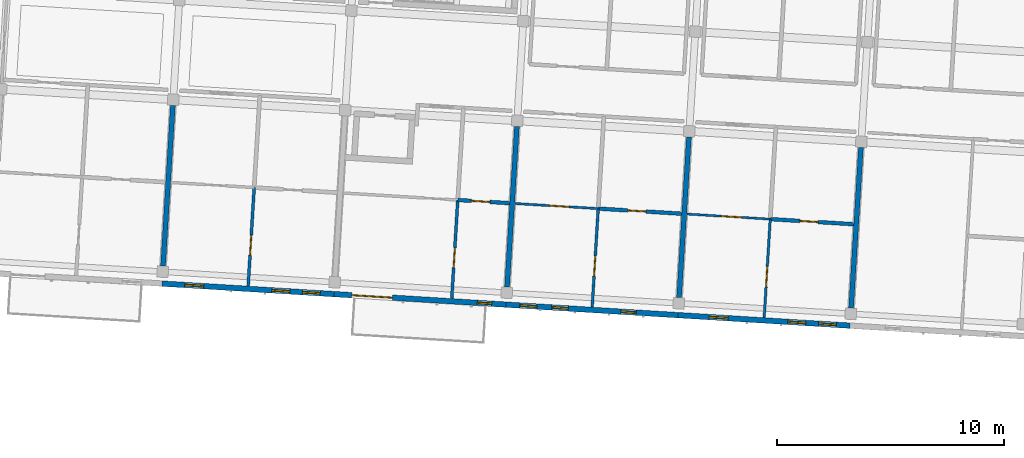
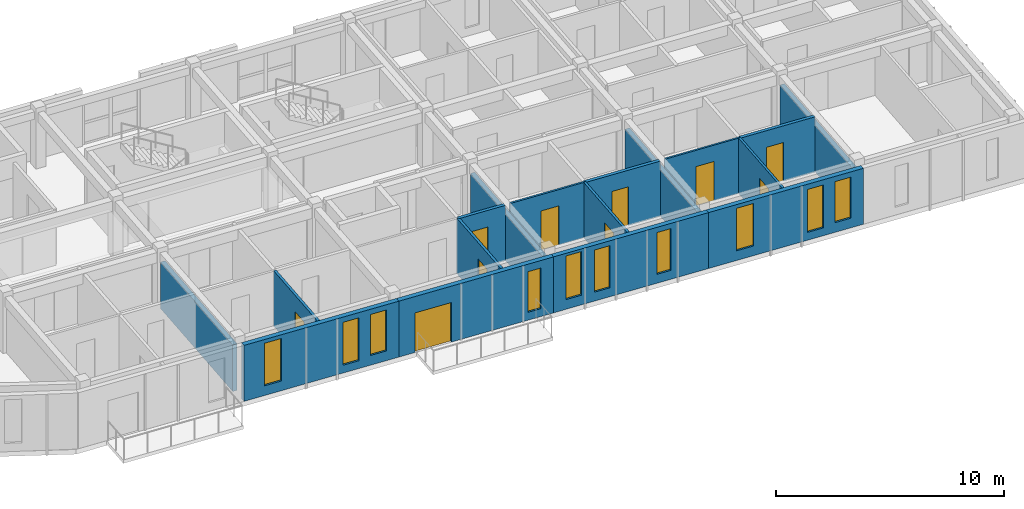
# One storey, part 25 of 66: 17 walls, 10 doors, 10 windows, 20 openings.
"""IFC4 building model written with IfcOpenShell, lengths in metres."""

from ifc_helpers import new_model, si_unit, direction, frame, frame_2d, origin, place, context, subcontext, project, spatial, rectangle, extrude, material, layer, layer_set, type_object, element, fill, save


model = new_model("IFC4")

# Units and contexts
model_context = context("Model", 3, precision=1e-05, world=origin(), true_north=direction((0.0, 1.0)))
body_context = subcontext(model_context, "Body", "Model", "MODEL_VIEW")
ifc_project = project(units=[si_unit("LENGTHUNIT", "METRE"), si_unit("AREAUNIT", "SQUARE_METRE"), si_unit("VOLUMEUNIT", "CUBIC_METRE"), si_unit("PLANEANGLEUNIT", "RADIAN"), si_unit("MASSUNIT", "GRAM", prefix="KILO")], contexts=[model_context])

# Site, building, storey
site_placement = place(None, origin())
site = spatial("IfcSite", under=ifc_project, at=site_placement, CompositionType="ELEMENT")
building_placement = place(site_placement, origin())
building = spatial("IfcBuilding", under=site, at=building_placement, Name="Kestramere Prow Commons", CompositionType="ELEMENT")
storey_placement = place(building_placement, frame((0.0, 0.0, 14.89990234375)))
storey = spatial("IfcBuildingStorey", under=building, at=storey_placement, Name="L04", CompositionType="ELEMENT", Elevation=14.89990234375)

# Wall, openings, windows
ifc_material_1 = material(Name="Fluoropolymer Standing-Seam Zinc-Aluminium Cladding", Category="aluminium")
ifc_layer_1 = layer(ifc_material_1, 0.239990234375)
ifc_layer_set_1 = layer_set([ifc_layer_1], Name="Fluoropolymer Standing-Seam Zinc-Aluminium Cladding")
wall_type_1 = type_object("IfcWallType", Name="EW-SEAM-240", PredefinedType="SOLIDWALL", material=ifc_layer_set_1)
wall_1_placement = place(storey_placement, frame((74.6396484375, 45.048095703125, 0.0), z_axis=(0.0, 0.0, 1.0), x_axis=(-0.998135669243, 0.061034300063, 0.0)))
wall_1 = element("IfcWall", 1, at=wall_1_placement, inside=storey, type_object=wall_type_1, Name="Block C L04 South Standing-Seam Wall 2", PredefinedType="SOLIDWALL", context=body_context, shape_type="SweptSolid", body=[
    extrude(rectangle(XDim=7.60009765625, YDim=0.239990234375, at=frame_2d((3.800048828125, 0.0))), origin(), (0.0, 0.0, 1.0), 3.0),
])
opening_1_placement = place(wall_1_placement, frame((0.610107421875, 0.0, 0.52001953125)))
opening_1 = element("IfcOpeningElement", 2, at=opening_1_placement, cuts=wall_1, Name="Opening WN-11", PredefinedType="OPENING", context=body_context, shape_type="SweptSolid", body=[
    extrude(rectangle(XDim=0.780029296875, YDim=2.199951171875, at=frame_2d((0.39013671875, 1.10009765625))), frame((0.0, 0.135009765625, 0.0), z_axis=(0.0, -1.0, 0.0), x_axis=(1.0, 0.0, 0.0)), (0.0, 0.0, 1.0), 0.27001953125),
])
opening_2_placement = place(wall_1_placement, frame((1.951904296875, 0.0, 0.419921875)))
opening_2 = element("IfcOpeningElement", 3, at=opening_2_placement, cuts=wall_1, Name="Opening WN-12", PredefinedType="OPENING", context=body_context, shape_type="SweptSolid", body=[
    extrude(rectangle(XDim=0.800048828125, YDim=2.300048828125, at=frame_2d((0.39990234375, 1.14990234375))), frame((0.0, 0.135009765625, 0.0), z_axis=(0.0, -1.0, 0.0), x_axis=(1.0, 0.0, 0.0)), (0.0, 0.0, 1.0), 0.27001953125),
])
opening_3_placement = place(wall_1_placement, frame((5.7548828125, 0.0, 0.52001953125)))
opening_3 = element("IfcOpeningElement", 4, at=opening_3_placement, cuts=wall_1, Name="Opening WN-14", PredefinedType="OPENING", context=body_context, shape_type="SweptSolid", body=[
    extrude(rectangle(XDim=0.840087890625, YDim=2.280029296875, at=frame_2d((0.419921875, 1.14013671875))), frame((0.0, 0.135009765625, 0.0), z_axis=(0.0, -1.0, 0.0), x_axis=(1.0, 0.0, 0.0)), (0.0, 0.0, 1.0), 0.27001953125),
])
ifc_material_2 = material(Name="Low-E Laminated Double Glazing", Category="glass")
window_type_1 = type_object("IfcWindowType", Name="WN-NAR-780A", PartitioningType="SINGLE_PANEL", PredefinedType="WINDOW", material=ifc_material_2)
window_1_placement = place(opening_1_placement, origin())
window_1 = element("IfcWindow", 5, at=window_1_placement, inside=storey, type_object=window_type_1, Name="WN-C-L04-S-1-00", OverallHeight=2.199951171875, OverallWidth=0.780029296875, PartitioningType="SINGLE_PANEL", PredefinedType="WINDOW", context=body_context, shape_type="SweptSolid", body=[
    extrude(rectangle(XDim=0.780029296875, YDim=2.199951171875, at=frame_2d((0.39013671875, 1.10009765625))), frame((0.0, 0.030029296875, 0.0), z_axis=(0.0, -1.0, 0.0), x_axis=(1.0, 0.0, 0.0)), (0.0, 0.0, 1.0), 0.06005859375),
])
fill(opening_1, window_1)
window_type_2 = type_object("IfcWindowType", Name="WN-NAR-800A", PartitioningType="SINGLE_PANEL", PredefinedType="WINDOW", material=ifc_material_2)
window_2_placement = place(opening_2_placement, origin())
window_2 = element("IfcWindow", 6, at=window_2_placement, inside=storey, type_object=window_type_2, Name="WN-C-L04-S-1-01", OverallHeight=2.300048828125, OverallWidth=0.800048828125, PartitioningType="SINGLE_PANEL", PredefinedType="WINDOW", context=body_context, shape_type="SweptSolid", body=[
    extrude(rectangle(XDim=0.800048828125, YDim=2.300048828125, at=frame_2d((0.39990234375, 1.14990234375))), frame((0.0, 0.030029296875, 0.0), z_axis=(0.0, -1.0, 0.0), x_axis=(1.0, 0.0, 0.0)), (0.0, 0.0, 1.0), 0.06005859375),
])
fill(opening_2, window_2)
window_type_3 = type_object("IfcWindowType", Name="WN-NAR-840A", PartitioningType="DOUBLE_PANEL_VERTICAL", PredefinedType="WINDOW", material=ifc_material_2)
window_3_placement = place(opening_3_placement, origin())
window_3 = element("IfcWindow", 7, at=window_3_placement, inside=storey, type_object=window_type_3, Name="WN-C-L04-S-1-10", OverallHeight=2.280029296875, OverallWidth=0.840087890625, PartitioningType="SINGLE_PANEL", PredefinedType="WINDOW", context=body_context, shape_type="SweptSolid", body=[
    extrude(rectangle(XDim=0.840087890625, YDim=2.280029296875, at=frame_2d((0.419921875, 1.14013671875))), frame((0.0, 0.030029296875, 0.0), z_axis=(0.0, -1.0, 0.0), x_axis=(1.0, 0.0, 0.0)), (0.0, 0.0, 1.0), 0.06005859375),
])
fill(opening_3, window_3)

# Wall, openings, door, window
wall_2_placement = place(storey_placement, frame((82.225341796875, 44.583984375, 0.0), z_axis=(0.0, 0.0, 1.0), x_axis=(-0.998133591969, 0.061068261669, 0.0)))
wall_2 = element("IfcWall", 8, at=wall_2_placement, inside=storey, type_object=wall_type_1, Name="Block C L04 South Standing-Seam Wall 3", PredefinedType="SOLIDWALL", context=body_context, shape_type="SweptSolid", body=[
    extrude(rectangle(XDim=7.599853515625, YDim=0.239990234375, at=frame_2d((3.7998046875, 0.0))), origin(), (0.0, 0.0, 1.0), 3.0),
])
opening_4_placement = place(wall_2_placement, frame((5.01904296875, 0.0, 0.0)))
opening_4 = element("IfcOpeningElement", 9, at=opening_4_placement, cuts=wall_2, Name="Opening GD-BAL-02", PredefinedType="OPENING", context=body_context, shape_type="SweptSolid", body=[
    extrude(rectangle(XDim=1.800048828125, YDim=2.1201171875, at=frame_2d((0.89990234375, 1.06005859375))), frame((0.0, 0.135009765625, 0.0), z_axis=(0.0, -1.0, 0.0), x_axis=(1.0, 0.0, 0.0)), (0.0, 0.0, 1.0), 0.27001953125),
])
opening_5_placement = place(wall_2_placement, frame((0.6298828125, 0.0, 0.419921875)))
opening_5 = element("IfcOpeningElement", 10, at=opening_5_placement, cuts=wall_2, Name="Opening WN-04", PredefinedType="OPENING", context=body_context, shape_type="SweptSolid", body=[
    extrude(rectangle(XDim=0.639892578125, YDim=2.179931640625, at=frame_2d((0.31982421875, 1.08984375))), frame((0.0, 0.135009765625, 0.0), z_axis=(0.0, -1.0, 0.0), x_axis=(1.0, 0.0, 0.0)), (0.0, 0.0, 1.0), 0.27001953125),
])
ifc_material_3 = material(Name="Thermally-Broken Anodised Aluminium Glazed", Category="aluminium")
door_type_1 = type_object("IfcDoorType", Name="GD-BAL-1800", OperationType="SLIDING_TO_LEFT", PredefinedType="DOOR", material=ifc_material_3)
door_1_placement = place(opening_4_placement, origin())
door_1 = element("IfcDoor", 11, at=door_1_placement, inside=storey, type_object=door_type_1, Name="Block C L04 Balcony Door 3", OperationType="SLIDING_TO_LEFT", OverallHeight=2.1201171875, OverallWidth=1.800048828125, PredefinedType="DOOR", context=body_context, shape_type="SweptSolid", body=[
    extrude(rectangle(XDim=1.800048828125, YDim=2.1201171875, at=frame_2d((0.89990234375, 1.06005859375))), frame((0.0, 0.02490234375, 0.0), z_axis=(0.0, -1.0, 0.0), x_axis=(1.0, 0.0, 0.0)), (0.0, 0.0, 1.0), 0.050048828125),
])
fill(opening_4, door_1)
window_type_4 = type_object("IfcWindowType", Name="WN-NAR-640A", PartitioningType="SINGLE_PANEL", PredefinedType="WINDOW", material=ifc_material_2)
window_4_placement = place(opening_5_placement, origin())
window_4 = element("IfcWindow", 12, at=window_4_placement, inside=storey, type_object=window_type_4, Name="WN-C-L04-SR-2", OverallHeight=2.179931640625, OverallWidth=0.639892578125, PartitioningType="SINGLE_PANEL", PredefinedType="WINDOW", context=body_context, shape_type="SweptSolid", body=[
    extrude(rectangle(XDim=0.639892578125, YDim=2.179931640625, at=frame_2d((0.31982421875, 1.08984375))), frame((0.0, 0.030029296875, 0.0), z_axis=(0.0, -1.0, 0.0), x_axis=(1.0, 0.0, 0.0)), (0.0, 0.0, 1.0), 0.06005859375),
])
fill(opening_5, window_4)

# Wall, openings, windows
wall_3_placement = place(storey_placement, frame((89.811279296875, 44.1201171875, 0.0), z_axis=(0.0, 0.0, 1.0), x_axis=(-0.998135669243, 0.061034300063, 0.0)))
wall_3 = element("IfcWall", 13, at=wall_3_placement, inside=storey, type_object=wall_type_1, Name="Block C L04 South Standing-Seam Wall 4", PredefinedType="SOLIDWALL", context=body_context, shape_type="SweptSolid", body=[
    extrude(rectangle(XDim=7.60009765625, YDim=0.239990234375, at=frame_2d((3.800048828125, 0.0))), origin(), (0.0, 0.0, 1.0), 3.0),
])
opening_6_placement = place(wall_3_placement, frame((1.84716796875, 0.0, 0.47998046875)))
opening_6 = element("IfcOpeningElement", 14, at=opening_6_placement, cuts=wall_3, Name="Opening WN-06", PredefinedType="OPENING", context=body_context, shape_type="SweptSolid", body=[
    extrude(rectangle(XDim=0.679931640625, YDim=2.239990234375, at=frame_2d((0.33984375, 1.1201171875))), frame((0.0, 0.135009765625, 0.0), z_axis=(0.0, -1.0, 0.0), x_axis=(1.0, 0.0, 0.0)), (0.0, 0.0, 1.0), 0.27001953125),
])
opening_7_placement = place(wall_3_placement, frame((4.847900390625, 0.0, 0.47998046875)))
opening_7 = element("IfcOpeningElement", 15, at=opening_7_placement, cuts=wall_3, Name="Opening WN-09", PredefinedType="OPENING", context=body_context, shape_type="SweptSolid", body=[
    extrude(rectangle(XDim=0.739990234375, YDim=2.260009765625, at=frame_2d((0.3701171875, 1.1298828125))), frame((0.0, 0.135009765625, 0.0), z_axis=(0.0, -1.0, 0.0), x_axis=(1.0, 0.0, 0.0)), (0.0, 0.0, 1.0), 0.27001953125),
])
opening_8_placement = place(wall_3_placement, frame((6.22998046875, 0.0, 0.52001953125)))
opening_8 = element("IfcOpeningElement", 16, at=opening_8_placement, cuts=wall_3, Name="Opening WN-10", PredefinedType="OPENING", context=body_context, shape_type="SweptSolid", body=[
    extrude(rectangle(XDim=0.760009765625, YDim=2.340087890625, at=frame_2d((0.3798828125, 1.169921875))), frame((0.0, 0.135009765625, 0.0), z_axis=(0.0, -1.0, 0.0), x_axis=(1.0, 0.0, 0.0)), (0.0, 0.0, 1.0), 0.27001953125),
])
window_type_5 = type_object("IfcWindowType", Name="WN-NAR-680A", PartitioningType="SINGLE_PANEL", PredefinedType="WINDOW", material=ifc_material_2)
window_5_placement = place(opening_6_placement, origin())
window_5 = element("IfcWindow", 17, at=window_5_placement, inside=storey, type_object=window_type_5, Name="WN-C-L04-S-3-00", OverallHeight=2.239990234375, OverallWidth=0.679931640625, PartitioningType="SINGLE_PANEL", PredefinedType="WINDOW", context=body_context, shape_type="SweptSolid", body=[
    extrude(rectangle(XDim=0.679931640625, YDim=2.239990234375, at=frame_2d((0.33984375, 1.1201171875))), frame((0.0, 0.030029296875, 0.0), z_axis=(0.0, -1.0, 0.0), x_axis=(1.0, 0.0, 0.0)), (0.0, 0.0, 1.0), 0.06005859375),
])
fill(opening_6, window_5)
window_type_6 = type_object("IfcWindowType", Name="WN-NAR-740A", PartitioningType="SINGLE_PANEL", PredefinedType="WINDOW", material=ifc_material_2)
window_6_placement = place(opening_7_placement, origin())
window_6 = element("IfcWindow", 18, at=window_6_placement, inside=storey, type_object=window_type_6, Name="WN-C-L04-S-3-10", OverallHeight=2.260009765625, OverallWidth=0.739990234375, PartitioningType="SINGLE_PANEL", PredefinedType="WINDOW", context=body_context, shape_type="SweptSolid", body=[
    extrude(rectangle(XDim=0.739990234375, YDim=2.260009765625, at=frame_2d((0.3701171875, 1.1298828125))), frame((0.0, 0.030029296875, 0.0), z_axis=(0.0, -1.0, 0.0), x_axis=(1.0, 0.0, 0.0)), (0.0, 0.0, 1.0), 0.06005859375),
])
fill(opening_7, window_6)
window_type_7 = type_object("IfcWindowType", Name="WN-NAR-760A", PartitioningType="SINGLE_PANEL", PredefinedType="WINDOW", material=ifc_material_2)
window_7_placement = place(opening_8_placement, origin())
window_7 = element("IfcWindow", 19, at=window_7_placement, inside=storey, type_object=window_type_7, Name="WN-C-L04-S-3-11", OverallHeight=2.340087890625, OverallWidth=0.760009765625, PartitioningType="SINGLE_PANEL", PredefinedType="WINDOW", context=body_context, shape_type="SweptSolid", body=[
    extrude(rectangle(XDim=0.760009765625, YDim=2.340087890625, at=frame_2d((0.3798828125, 1.169921875))), frame((0.0, 0.030029296875, 0.0), z_axis=(0.0, -1.0, 0.0), x_axis=(1.0, 0.0, 0.0)), (0.0, 0.0, 1.0), 0.06005859375),
])
fill(opening_8, window_7)

wall_4_placement = place(storey_placement, frame((97.39697265625, 43.65625, 0.0), z_axis=(0.0, 0.0, 1.0), x_axis=(-0.998135549572, 0.061036257095, 0.0)))
wall_4 = element("IfcWall", 20, at=wall_4_placement, inside=storey, type_object=wall_type_1, Name="Block C L04 South Standing-Seam Wall 5", PredefinedType="SOLIDWALL", context=body_context, shape_type="SweptSolid", body=[
    extrude(rectangle(XDim=7.599853515625, YDim=0.239990234375, at=frame_2d((3.7998046875, 0.0))), origin(), (0.0, 0.0, 1.0), 3.0),
])
opening_9_placement = place(wall_4_placement, frame((0.610107421875, 0.0, 0.52001953125)))
opening_9 = element("IfcOpeningElement", 21, at=opening_9_placement, cuts=wall_4, Name="Opening WN-11", PredefinedType="OPENING", context=body_context, shape_type="SweptSolid", body=[
    extrude(rectangle(XDim=0.780029296875, YDim=2.199951171875, at=frame_2d((0.39013671875, 1.10009765625))), frame((0.0, 0.135009765625, 0.0), z_axis=(0.0, -1.0, 0.0), x_axis=(1.0, 0.0, 0.0)), (0.0, 0.0, 1.0), 0.27001953125),
])
opening_10_placement = place(wall_4_placement, frame((1.951904296875, 0.0, 0.419921875)))
opening_10 = element("IfcOpeningElement", 22, at=opening_10_placement, cuts=wall_4, Name="Opening WN-12", PredefinedType="OPENING", context=body_context, shape_type="SweptSolid", body=[
    extrude(rectangle(XDim=0.800048828125, YDim=2.300048828125, at=frame_2d((0.39990234375, 1.14990234375))), frame((0.0, 0.135009765625, 0.0), z_axis=(0.0, -1.0, 0.0), x_axis=(1.0, 0.0, 0.0)), (0.0, 0.0, 1.0), 0.27001953125),
])
opening_11_placement = place(wall_4_placement, frame((5.38525390625, 0.0, 0.52001953125)))
opening_11 = element("IfcOpeningElement", 23, at=opening_11_placement, cuts=wall_4, Name="Opening WN-14", PredefinedType="OPENING", context=body_context, shape_type="SweptSolid", body=[
    extrude(rectangle(XDim=0.840087890625, YDim=2.280029296875, at=frame_2d((0.419921875, 1.14013671875))), frame((0.0, 0.135009765625, 0.0), z_axis=(0.0, -1.0, 0.0), x_axis=(1.0, 0.0, 0.0)), (0.0, 0.0, 1.0), 0.27001953125),
])
window_8_placement = place(opening_9_placement, origin())
window_8 = element("IfcWindow", 24, at=window_8_placement, inside=storey, type_object=window_type_1, Name="WN-C-L04-S-4-00", OverallHeight=2.199951171875, OverallWidth=0.780029296875, PartitioningType="SINGLE_PANEL", PredefinedType="WINDOW", context=body_context, shape_type="SweptSolid", body=[
    extrude(rectangle(XDim=0.780029296875, YDim=2.199951171875, at=frame_2d((0.39013671875, 1.10009765625))), frame((0.0, 0.030029296875, 0.0), z_axis=(0.0, -1.0, 0.0), x_axis=(1.0, 0.0, 0.0)), (0.0, 0.0, 1.0), 0.06005859375),
])
fill(opening_9, window_8)
window_9_placement = place(opening_10_placement, origin())
window_9 = element("IfcWindow", 25, at=window_9_placement, inside=storey, type_object=window_type_2, Name="WN-C-L04-S-4-01", OverallHeight=2.300048828125, OverallWidth=0.800048828125, PartitioningType="SINGLE_PANEL", PredefinedType="WINDOW", context=body_context, shape_type="SweptSolid", body=[
    extrude(rectangle(XDim=0.800048828125, YDim=2.300048828125, at=frame_2d((0.39990234375, 1.14990234375))), frame((0.0, 0.030029296875, 0.0), z_axis=(0.0, -1.0, 0.0), x_axis=(1.0, 0.0, 0.0)), (0.0, 0.0, 1.0), 0.06005859375),
])
fill(opening_10, window_9)
window_10_placement = place(opening_11_placement, origin())
window_10 = element("IfcWindow", 26, at=window_10_placement, inside=storey, type_object=window_type_3, Name="WN-C-L04-S-4-10", OverallHeight=2.280029296875, OverallWidth=0.840087890625, PartitioningType="SINGLE_PANEL", PredefinedType="WINDOW", context=body_context, shape_type="SweptSolid", body=[
    extrude(rectangle(XDim=0.840087890625, YDim=2.280029296875, at=frame_2d((0.419921875, 1.14013671875))), frame((0.0, 0.030029296875, 0.0), z_axis=(0.0, -1.0, 0.0), x_axis=(1.0, 0.0, 0.0)), (0.0, 0.0, 1.0), 0.06005859375),
])
fill(opening_11, window_10)

# Wall, opening, door
ifc_material_4 = material(Name="Gypsum Acoustic Drywall")
ifc_layer_2 = layer(ifc_material_4, 0.10009765625)
ifc_layer_set_2 = layer_set([ifc_layer_2], Name="Gypsum Acoustic Drywall")
wall_type_2 = type_object("IfcWallType", Name="W-PART-100", PredefinedType="PARTITIONING", material=ifc_layer_set_2)
wall_5_placement = place(storey_placement, frame((82.61328125, 49.043701171875, 0.0), z_axis=(0.0, 0.0, 1.0), x_axis=(0.998136719672, -0.061017119263, 0.0)))
wall_5 = element("IfcWall", 27, at=wall_5_placement, inside=storey, type_object=wall_type_2, Name="Interior Partition PW-C-L04-MIDS1-3", PredefinedType="PARTITIONING", context=body_context, shape_type="SweptSolid", body=[
    extrude(rectangle(XDim=3.68505859375, YDim=0.10009765625, at=frame_2d((1.842529296875, 0.0))), origin(), (0.0, 0.0, 1.0), 2.97021484375),
])
opening_12_placement = place(wall_5_placement, frame((1.52490234375, 0.0, 0.0)))
opening_12 = element("IfcOpeningElement", 28, at=opening_12_placement, cuts=wall_5, Name="Opening ID-10", PredefinedType="OPENING", context=body_context, shape_type="SweptSolid", body=[
    extrude(rectangle(XDim=0.8798828125, YDim=2.10009765625, at=frame_2d((0.43994140625, 1.050048828125))), frame((0.0, 0.06494140625, 0.0), z_axis=(0.0, -1.0, 0.0), x_axis=(1.0, 0.0, 0.0)), (0.0, 0.0, 1.0), 0.130126953125),
])
ifc_material_5 = material(Name="Engineered Timber Bedroom Door", Category="wood")
door_type_2 = type_object("IfcDoorType", Name="D-RM-03", OperationType="NOTDEFINED", PredefinedType="DOOR", material=ifc_material_5)
door_2_placement = place(opening_12_placement, origin())
door_2 = element("IfcDoor", 29, at=door_2_placement, inside=storey, type_object=door_type_2, Name="Interior Door DR-C-L04-KL-S3", OperationType="SINGLE_SWING_RIGHT", OverallHeight=2.10009765625, OverallWidth=0.8798828125, PredefinedType="DOOR", context=body_context, shape_type="SweptSolid", body=[
    extrude(rectangle(XDim=0.8798828125, YDim=2.10009765625, at=frame_2d((0.43994140625, 1.050048828125))), frame((0.0, 0.02490234375, 0.0), z_axis=(0.0, -1.0, 0.0), x_axis=(1.0, 0.0, 0.0)), (0.0, 0.0, 1.0), 0.050048828125),
])
fill(opening_12, door_2)

ifc_layer_3 = layer(ifc_material_4, 0.110107421875)
ifc_layer_set_3 = layer_set([ifc_layer_3], Name="Gypsum Acoustic Drywall")
wall_type_3 = type_object("IfcWallType", Name="W-PART-110", PredefinedType="PARTITIONING", material=ifc_layer_set_3)
wall_6_placement = place(storey_placement, frame((93.6123046875, 44.02294921875, 0.0), z_axis=(0.0, 0.0, 1.0), x_axis=(0.061092906669, 0.998132083822, 0.0)))
wall_6 = element("IfcWall", 30, at=wall_6_placement, inside=storey, type_object=wall_type_3, Name="Interior Partition PW-C-L04-LB-S4", PredefinedType="PARTITIONING", context=body_context, shape_type="SweptSolid", body=[
    extrude(rectangle(XDim=4.33984375, YDim=0.110107421875, at=frame_2d((2.169921875, 0.0))), origin(), (0.0, 0.0, 1.0), 2.97021484375),
])
opening_13_placement = place(wall_6_placement, frame((1.35009765625, 0.0, 0.0)))
opening_13 = element("IfcOpeningElement", 31, at=opening_13_placement, cuts=wall_6, Name="Opening ID-08", PredefinedType="OPENING", context=body_context, shape_type="SweptSolid", body=[
    extrude(rectangle(XDim=0.89990234375, YDim=2.10009765625, at=frame_2d((0.449951171875, 1.050048828125))), frame((0.0, 0.070068359375, 0.0), z_axis=(0.0, -1.0, 0.0), x_axis=(1.0, 0.0, 0.0)), (0.0, 0.0, 1.0), 0.14013671875),
])
ifc_material_6 = material(Name="Engineered Timber Flush Door", Category="wood")
door_type_3 = type_object("IfcDoorType", Name="D-RM-01", OperationType="NOTDEFINED", PredefinedType="DOOR", material=ifc_material_6)
door_3_placement = place(opening_13_placement, origin())
door_3 = element("IfcDoor", 32, at=door_3_placement, inside=storey, type_object=door_type_3, Name="Interior Door DR-C-L04-BED-S4", OperationType="SINGLE_SWING_LEFT", OverallHeight=2.10009765625, OverallWidth=0.89990234375, PredefinedType="DOOR", context=body_context, shape_type="SweptSolid", body=[
    extrude(rectangle(XDim=0.89990234375, YDim=2.10009765625, at=frame_2d((0.449951171875, 1.050048828125))), frame((0.0, 0.02490234375, 0.0), z_axis=(0.0, -1.0, 0.0), x_axis=(1.0, 0.0, 0.0)), (0.0, 0.0, 1.0), 0.050048828125),
])
fill(opening_13, door_3)

ifc_material_7 = material(Name="Lightweight Blockwork and Plaster", Category="masonry")
ifc_layer_4 = layer(ifc_material_7, 0.1201171875)
ifc_layer_set_4 = layer_set([ifc_layer_4], Name="Lightweight Blockwork and Plaster")
wall_type_4 = type_object("IfcWallType", Name="W-PART-120", PredefinedType="PARTITIONING", material=ifc_layer_set_4)
wall_7_placement = place(storey_placement, frame((86.026611328125, 44.48681640625, 0.0), z_axis=(0.0, 0.0, 1.0), x_axis=(0.06103343432, 0.998135722182, 0.0)))
wall_7 = element("IfcWall", 33, at=wall_7_placement, inside=storey, type_object=wall_type_4, Name="Interior Partition PW-C-L04-LB-S3", PredefinedType="PARTITIONING", context=body_context, shape_type="SweptSolid", body=[
    extrude(rectangle(XDim=4.340087890625, YDim=0.1201171875, at=frame_2d((2.169921875, 0.0))), origin(), (0.0, 0.0, 1.0), 2.97021484375),
])
opening_14_placement = place(wall_7_placement, frame((1.35009765625, 0.0, 0.0)))
opening_14 = element("IfcOpeningElement", 34, at=opening_14_placement, cuts=wall_7, Name="Opening ID-08", PredefinedType="OPENING", context=body_context, shape_type="SweptSolid", body=[
    extrude(rectangle(XDim=0.89990234375, YDim=2.10009765625, at=frame_2d((0.449951171875, 1.050048828125))), frame((0.0, 0.074951171875, 0.0), z_axis=(0.0, -1.0, 0.0), x_axis=(1.0, 0.0, 0.0)), (0.0, 0.0, 1.0), 0.150146484375),
])
door_4_placement = place(opening_14_placement, origin())
door_4 = element("IfcDoor", 35, at=door_4_placement, inside=storey, type_object=door_type_3, Name="Interior Door DR-C-L04-BED-S3", OperationType="SINGLE_SWING_RIGHT", OverallHeight=2.10009765625, OverallWidth=0.89990234375, PredefinedType="DOOR", context=body_context, shape_type="SweptSolid", body=[
    extrude(rectangle(XDim=0.89990234375, YDim=2.10009765625, at=frame_2d((0.449951171875, 1.050048828125))), frame((0.0, 0.02490234375, 0.0), z_axis=(0.0, -1.0, 0.0), x_axis=(1.0, 0.0, 0.0)), (0.0, 0.0, 1.0), 0.050048828125),
])
fill(opening_14, door_4)

ifc_layer_5 = layer(ifc_material_7, 0.1298828125)
ifc_layer_set_5 = layer_set([ifc_layer_5], Name="Lightweight Blockwork and Plaster")
wall_type_5 = type_object("IfcWallType", Name="W-PART-130", PredefinedType="PARTITIONING", material=ifc_layer_set_5)
wall_8_placement = place(storey_placement, frame((70.85498046875, 45.414794921875, 0.0), z_axis=(0.0, 0.0, 1.0), x_axis=(0.061036861365, 0.998135512621, 0.0)))
wall_8 = element("IfcWall", 36, at=wall_8_placement, inside=storey, type_object=wall_type_5, Name="Interior Partition PW-C-L04-LB-S1", PredefinedType="PARTITIONING", context=body_context, shape_type="SweptSolid", body=[
    extrude(rectangle(XDim=4.33984375, YDim=0.1298828125, at=frame_2d((2.169921875, 0.0))), origin(), (0.0, 0.0, 1.0), 2.97021484375),
])
opening_15_placement = place(wall_8_placement, frame((1.35009765625, 0.0, 0.0)))
opening_15 = element("IfcOpeningElement", 37, at=opening_15_placement, cuts=wall_8, Name="Opening ID-10", PredefinedType="OPENING", context=body_context, shape_type="SweptSolid", body=[
    extrude(rectangle(XDim=0.8798828125, YDim=2.10009765625, at=frame_2d((0.43994140625, 1.050048828125))), frame((0.0, 0.079833984375, 0.0), z_axis=(0.0, -1.0, 0.0), x_axis=(1.0, 0.0, 0.0)), (0.0, 0.0, 1.0), 0.159912109375),
])
door_5_placement = place(opening_15_placement, origin())
door_5 = element("IfcDoor", 38, at=door_5_placement, inside=storey, type_object=door_type_2, Name="Interior Door DR-C-L04-BED-S1", OperationType="SINGLE_SWING_RIGHT", OverallHeight=2.10009765625, OverallWidth=0.8798828125, PredefinedType="DOOR", context=body_context, shape_type="SweptSolid", body=[
    extrude(rectangle(XDim=0.8798828125, YDim=2.10009765625, at=frame_2d((0.43994140625, 1.050048828125))), frame((0.0, 0.02490234375, 0.0), z_axis=(0.0, -1.0, 0.0), x_axis=(1.0, 0.0, 0.0)), (0.0, 0.0, 1.0), 0.050048828125),
])
fill(opening_15, door_5)

wall_9_placement = place(storey_placement, frame((79.833251953125, 44.86572265625, 0.0), z_axis=(0.0, 0.0, 1.0), x_axis=(0.061036861365, 0.998135512621, 0.0)))
wall_9 = element("IfcWall", 39, at=wall_9_placement, inside=storey, type_object=wall_type_5, Name="Interior Partition PW-C-L04-LB-S2", PredefinedType="PARTITIONING", context=body_context, shape_type="SweptSolid", body=[
    extrude(rectangle(XDim=4.33984375, YDim=0.1298828125, at=frame_2d((2.169921875, 0.0))), origin(), (0.0, 0.0, 1.0), 2.97021484375),
])
opening_16_placement = place(wall_9_placement, frame((1.35009765625, 0.0, 0.0)))
opening_16 = element("IfcOpeningElement", 40, at=opening_16_placement, cuts=wall_9, Name="Opening ID-10", PredefinedType="OPENING", context=body_context, shape_type="SweptSolid", body=[
    extrude(rectangle(XDim=0.8798828125, YDim=2.10009765625, at=frame_2d((0.43994140625, 1.050048828125))), frame((0.0, 0.079833984375, 0.0), z_axis=(0.0, -1.0, 0.0), x_axis=(1.0, 0.0, 0.0)), (0.0, 0.0, 1.0), 0.159912109375),
])
door_6_placement = place(opening_16_placement, origin())
door_6 = element("IfcDoor", 41, at=door_6_placement, inside=storey, type_object=door_type_2, Name="Interior Door DR-C-L04-BED-S2", OperationType="SINGLE_SWING_LEFT", OverallHeight=2.10009765625, OverallWidth=0.8798828125, PredefinedType="DOOR", context=body_context, shape_type="SweptSolid", body=[
    extrude(rectangle(XDim=0.8798828125, YDim=2.10009765625, at=frame_2d((0.43994140625, 1.050048828125))), frame((0.0, 0.02490234375, 0.0), z_axis=(0.0, -1.0, 0.0), x_axis=(1.0, 0.0, 0.0)), (0.0, 0.0, 1.0), 0.050048828125),
])
fill(opening_16, door_6)

ifc_layer_6 = layer(ifc_material_4, 0.094970703125)
ifc_layer_set_6 = layer_set([ifc_layer_6], Name="Gypsum Acoustic Drywall")
wall_type_6 = type_object("IfcWallType", Name="W-PART-95", PredefinedType="PARTITIONING", material=ifc_layer_set_6)
wall_10_placement = place(storey_placement, frame((90.19921875, 48.579833984375, 0.0), z_axis=(0.0, 0.0, 1.0), x_axis=(0.998132682596, -0.061083123148, 0.0)))
wall_10 = element("IfcWall", 42, at=wall_10_placement, inside=storey, type_object=wall_type_6, Name="Interior Partition PW-C-L04-MIDS1-4", PredefinedType="PARTITIONING", context=body_context, shape_type="SweptSolid", body=[
    extrude(rectangle(XDim=3.68505859375, YDim=0.094970703125, at=frame_2d((1.842529296875, 0.0))), origin(), (0.0, 0.0, 1.0), 2.97021484375),
])
opening_17_placement = place(wall_10_placement, frame((1.52490234375, 0.0, 0.0)))
opening_17 = element("IfcOpeningElement", 43, at=opening_17_placement, cuts=wall_10, Name="Opening ID-08", PredefinedType="OPENING", context=body_context, shape_type="SweptSolid", body=[
    extrude(rectangle(XDim=0.89990234375, YDim=2.10009765625, at=frame_2d((0.449951171875, 1.050048828125))), frame((0.0, 0.0625, 0.0), z_axis=(0.0, -1.0, 0.0), x_axis=(1.0, 0.0, 0.0)), (0.0, 0.0, 1.0), 0.125),
])
door_7_placement = place(opening_17_placement, origin())
door_7 = element("IfcDoor", 44, at=door_7_placement, inside=storey, type_object=door_type_3, Name="Interior Door DR-C-L04-KL-S4", OperationType="SINGLE_SWING_RIGHT", OverallHeight=2.10009765625, OverallWidth=0.89990234375, PredefinedType="DOOR", context=body_context, shape_type="SweptSolid", body=[
    extrude(rectangle(XDim=0.89990234375, YDim=2.10009765625, at=frame_2d((0.449951171875, 1.050048828125))), frame((0.0, 0.02490234375, 0.0), z_axis=(0.0, -1.0, 0.0), x_axis=(1.0, 0.0, 0.0)), (0.0, 0.0, 1.0), 0.050048828125),
])
fill(opening_17, door_7)

ifc_material_8 = material(Name="Waterproof Sanitary Masonry Wall", Category="masonry")
ifc_layer_7 = layer(ifc_material_8, 0.1650390625)
ifc_layer_set_7 = layer_set([ifc_layer_7], Name="Waterproof Sanitary Masonry Wall")
wall_type_7 = type_object("IfcWallType", Name="W-PLUMB-150", PredefinedType="PLUMBINGWALL", material=ifc_layer_set_7)
wall_11_placement = place(storey_placement, frame((80.09814453125, 49.197509765625, 0.0), z_axis=(0.0, 0.0, 1.0), x_axis=(0.998138723231, -0.060984335579, 0.0)))
wall_11 = element("IfcWall", 45, at=wall_11_placement, inside=storey, type_object=wall_type_7, Name="Interior Partition PW-C-L04-MIDS2-2", PredefinedType="PLUMBINGWALL", context=body_context, shape_type="SweptSolid", body=[
    extrude(rectangle(XDim=2.289794921875, YDim=0.1650390625, at=frame_2d((1.14501953125, 0.0))), origin(), (0.0, 0.0, 1.0), 2.97021484375),
])
opening_18_placement = place(wall_11_placement, frame((0.60302734375, 0.0, 0.0)))
opening_18 = element("IfcOpeningElement", 46, at=opening_18_placement, cuts=wall_11, Name="Opening ID-11", PredefinedType="OPENING", context=body_context, shape_type="SweptSolid", body=[
    extrude(rectangle(XDim=0.820068359375, YDim=2.080078125, at=frame_2d((0.41015625, 1.0400390625))), frame((0.0, 0.097412109375, 0.0), z_axis=(0.0, -1.0, 0.0), x_axis=(1.0, 0.0, 0.0)), (0.0, 0.0, 1.0), 0.195068359375),
])
ifc_material_9 = material(Name="Moisture-Resistant Timber Bathroom Door", Category="wood")
door_type_4 = type_object("IfcDoorType", Name="D-BT-01", OperationType="NOTDEFINED", PredefinedType="DOOR", material=ifc_material_9)
door_8_placement = place(opening_18_placement, origin())
door_8 = element("IfcDoor", 47, at=door_8_placement, inside=storey, type_object=door_type_4, Name="Interior Door DR-C-L04-BTH-S2", OperationType="SINGLE_SWING_LEFT", OverallHeight=2.080078125, OverallWidth=0.820068359375, PredefinedType="DOOR", context=body_context, shape_type="SweptSolid", body=[
    extrude(rectangle(XDim=0.820068359375, YDim=2.080078125, at=frame_2d((0.41015625, 1.0400390625))), frame((0.0, 0.02490234375, 0.0), z_axis=(0.0, -1.0, 0.0), x_axis=(1.0, 0.0, 0.0)), (0.0, 0.0, 1.0), 0.050048828125),
])
fill(opening_18, door_8)

wall_12_placement = place(storey_placement, frame((86.29150390625, 48.81884765625, 0.0), z_axis=(0.0, 0.0, 1.0), x_axis=(0.998132682596, -0.061083123148, 0.0)))
wall_12 = element("IfcWall", 48, at=wall_12_placement, inside=storey, type_object=wall_type_7, Name="Interior Partition PW-C-L04-MIDS2-3", PredefinedType="PLUMBINGWALL", context=body_context, shape_type="SweptSolid", body=[
    extrude(rectangle(XDim=3.68505859375, YDim=0.1650390625, at=frame_2d((1.842529296875, 0.0))), origin(), (0.0, 0.0, 1.0), 2.97021484375),
])
opening_19_placement = place(wall_12_placement, frame((1.300048828125, 0.0, 0.0)))
opening_19 = element("IfcOpeningElement", 49, at=opening_19_placement, cuts=wall_12, Name="Opening ID-11", PredefinedType="OPENING", context=body_context, shape_type="SweptSolid", body=[
    extrude(rectangle(XDim=0.820068359375, YDim=2.080078125, at=frame_2d((0.41015625, 1.0400390625))), frame((0.0, 0.097412109375, 0.0), z_axis=(0.0, -1.0, 0.0), x_axis=(1.0, 0.0, 0.0)), (0.0, 0.0, 1.0), 0.195068359375),
])
door_9_placement = place(opening_19_placement, origin())
door_9 = element("IfcDoor", 50, at=door_9_placement, inside=storey, type_object=door_type_4, Name="Interior Door DR-C-L04-BTH-S3", OperationType="SINGLE_SWING_LEFT", OverallHeight=2.080078125, OverallWidth=0.820068359375, PredefinedType="DOOR", context=body_context, shape_type="SweptSolid", body=[
    extrude(rectangle(XDim=0.820068359375, YDim=2.080078125, at=frame_2d((0.41015625, 1.0400390625))), frame((0.0, 0.02490234375, 0.0), z_axis=(0.0, -1.0, 0.0), x_axis=(1.0, 0.0, 0.0)), (0.0, 0.0, 1.0), 0.050048828125),
])
fill(opening_19, door_9)

wall_13_placement = place(storey_placement, frame((93.87744140625, 48.354736328125, 0.0), z_axis=(0.0, 0.0, 1.0), x_axis=(0.998136472989, -0.061021154439, 0.0)))
wall_13 = element("IfcWall", 51, at=wall_13_placement, inside=storey, type_object=wall_type_7, Name="Interior Partition PW-C-L04-MIDS2-4", PredefinedType="PLUMBINGWALL", context=body_context, shape_type="SweptSolid", body=[
    extrude(rectangle(XDim=3.684814453125, YDim=0.1650390625, at=frame_2d((1.84228515625, 0.0))), origin(), (0.0, 0.0, 1.0), 2.97021484375),
])
opening_20_placement = place(wall_13_placement, frame((1.300048828125, 0.0, 0.0)))
opening_20 = element("IfcOpeningElement", 52, at=opening_20_placement, cuts=wall_13, Name="Opening ID-11", PredefinedType="OPENING", context=body_context, shape_type="SweptSolid", body=[
    extrude(rectangle(XDim=0.820068359375, YDim=2.080078125, at=frame_2d((0.41015625, 1.0400390625))), frame((0.0, 0.097412109375, 0.0), z_axis=(0.0, -1.0, 0.0), x_axis=(1.0, 0.0, 0.0)), (0.0, 0.0, 1.0), 0.195068359375),
])
door_10_placement = place(opening_20_placement, origin())
door_10 = element("IfcDoor", 53, at=door_10_placement, inside=storey, type_object=door_type_4, Name="Interior Door DR-C-L04-BTH-S4", OperationType="SINGLE_SWING_LEFT", OverallHeight=2.080078125, OverallWidth=0.820068359375, PredefinedType="DOOR", context=body_context, shape_type="SweptSolid", body=[
    extrude(rectangle(XDim=0.820068359375, YDim=2.080078125, at=frame_2d((0.41015625, 1.0400390625))), frame((0.0, 0.02490234375, 0.0), z_axis=(0.0, -1.0, 0.0), x_axis=(1.0, 0.0, 0.0)), (0.0, 0.0, 1.0), 0.050048828125),
])
fill(opening_20, door_10)

# Walls
ifc_material_10 = material(Name="Precast concrete C40/50", Category="concrete")
ifc_layer_8 = layer(ifc_material_10, 0.219970703125)
ifc_layer_set_8 = layer_set([ifc_layer_8], Name="Precast concrete C40/50")
wall_type_8 = type_object("IfcWallType", Name="W-XWALL-220", PredefinedType="SHEAR", material=ifc_layer_set_8)
for number, where, z_axis, x_axis, name in (
    (54, (67.10107421875, 46.28564453125, 0.0), (0.0, 0.0, 1.0), (0.061035953884, 0.998135568114, 0.0), "Block C L04 Precast Cross-Wall 1"),
    (55, (82.272705078125, 45.357666015625, 0.0), (0.0, 0.0, 1.0), (0.061070212127, 0.998133472633, 0.0), "Block C L04 Precast Cross-Wall 3"),
):
    element("IfcWall", number, at=place(storey_placement, frame(where, z_axis=z_axis, x_axis=x_axis)), inside=storey, type_object=wall_type_8, Name=name, PredefinedType="SHEAR", context=body_context, shape_type="SweptSolid", body=[
        extrude(rectangle(XDim=7.099853515625, YDim=0.219970703125, at=frame_2d((3.5498046875, 0.0))), origin(), (0.0, 0.0, 1.0), 2.5),
    ])
wall_14_placement = place(storey_placement, frame((89.858642578125, 44.8935546875, 0.0), z_axis=(0.0, 0.0, 1.0), x_axis=(0.061033859059, 0.99813569621, 0.0)))
element("IfcWall", 56, at=wall_14_placement, inside=storey, type_object=wall_type_8, Name="Block C L04 Precast Cross-Wall 4", PredefinedType="SHEAR", context=body_context, shape_type="SweptSolid", body=[
    extrude(rectangle(XDim=7.10009765625, YDim=0.219970703125, at=frame_2d((3.550048828125, 0.0))), origin(), (0.0, 0.0, 1.0), 2.5),
])
wall_15_placement = place(storey_placement, frame((97.4443359375, 44.4296875, 0.0), z_axis=(0.0, 0.0, 1.0), x_axis=(0.061070212127, 0.998133472633, 0.0)))
element("IfcWall", 57, at=wall_15_placement, inside=storey, type_object=wall_type_8, Name="Block C L04 Precast Cross-Wall 5", PredefinedType="SHEAR", context=body_context, shape_type="SweptSolid", body=[
    extrude(rectangle(XDim=7.099853515625, YDim=0.219970703125, at=frame_2d((3.5498046875, 0.0))), origin(), (0.0, 0.0, 1.0), 2.5),
])

save(model, "model.ifc")
